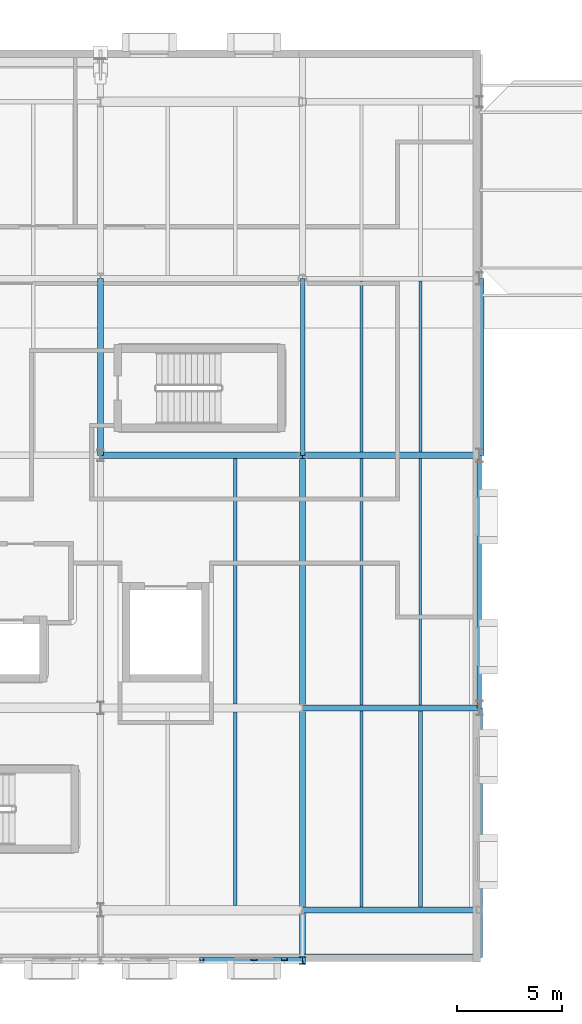
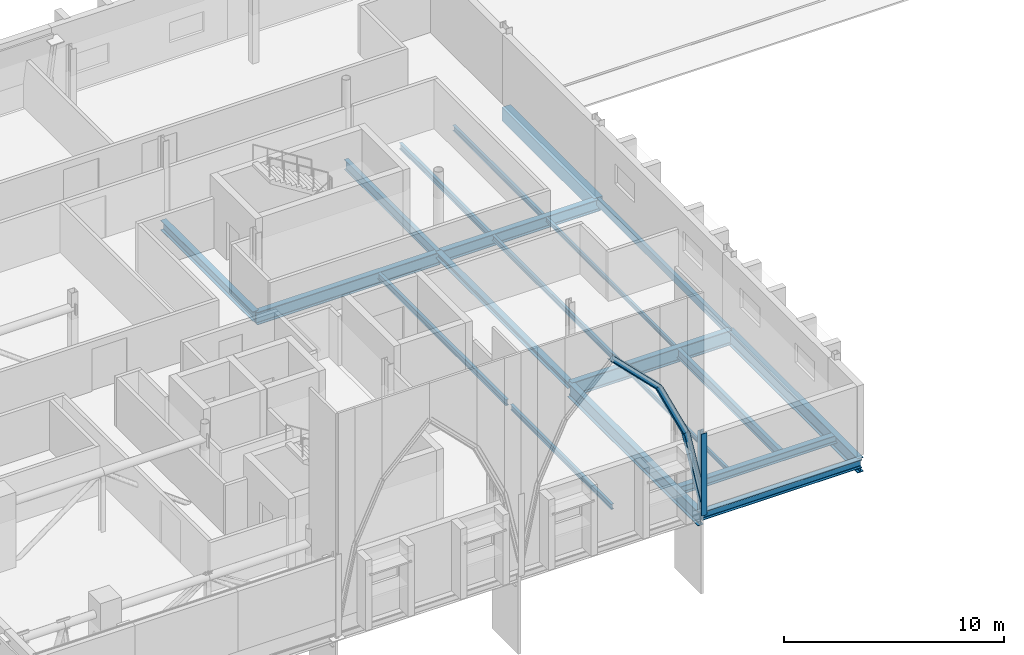
# One storey, part 23 of 90: 20 beams, 4 members.
"""IFC4 building model written with IfcOpenShell, lengths in metres."""

from ifc_helpers import new_model, si_unit, direction, frame, origin, origin_2d, place, context, subcontext, project, spatial, rectangle, hollow_rectangle, i_section, extrude, material, material_profile, profile_set, type_object, element, save


model = new_model("IFC4")

# Units and contexts
model_context = context("Model", 3, precision=1e-05, world=origin(), true_north=direction((0.0, 1.0)))
body_context = subcontext(model_context, "Body", "Model", "MODEL_VIEW")
ifc_project = project(units=[si_unit("LENGTHUNIT", "METRE"), si_unit("AREAUNIT", "SQUARE_METRE"), si_unit("VOLUMEUNIT", "CUBIC_METRE"), si_unit("PLANEANGLEUNIT", "RADIAN"), si_unit("MASSUNIT", "GRAM", prefix="KILO")], contexts=[model_context])

# Site, building, storey
site_placement = place(None, origin())
site = spatial("IfcSite", under=ifc_project, at=site_placement, CompositionType="ELEMENT")
building_placement = place(site_placement, origin())
building = spatial("IfcBuilding", under=site, at=building_placement, Name="Zereglee Splitstone Museum", CompositionType="ELEMENT")
storey_placement = place(building_placement, frame((0.0, 0.0, 4.800048828125)))
storey = spatial("IfcBuildingStorey", under=building, at=storey_placement, Name="L01", CompositionType="ELEMENT", Elevation=4.800048828125)

# Members
ifc_material_1 = material(Name="Steel S355J2", Category="steel")
ifc_material_profile_1 = material_profile(ifc_material_1, i_section(OverallWidth=0.300048828125, OverallDepth=0.300048828125, WebThickness=0.010986328125, FlangeThickness=0.01904296875, FilletRadius=0.027099609375, at=origin_2d()), Name="HE 300 B")
ifc_profile_set_1 = profile_set([ifc_material_profile_1], Name="Steel S355J2")
member_type_1 = type_object("IfcMemberType", Name="TC-08", PredefinedType="CHORD", material=ifc_profile_set_1)
member_1_placement = place(storey_placement, frame((34.800048828125, -2.39990234375, 10.0), z_axis=(0.707072197919, 0.0, -0.707141362763), x_axis=(0.0, 1.0, 0.0)))
element("IfcMember", 1, at=member_1_placement, inside=storey, type_object=member_type_1, Name="Mughal Four-Centred Pointed Arch Rib PSQ-SV1-2-4", PredefinedType="CHORD", context=body_context, shape_type="SweptSolid", body=[
    extrude(i_section(OverallWidth=0.300048828125, OverallDepth=0.300048828125, WebThickness=0.010986328125, FlangeThickness=0.01904296875, FilletRadius=0.027099609375, at=origin_2d()), origin(), (0.0, 0.0, 1.0), 3.52978515625),
])
member_2_placement = place(storey_placement, frame((37.2958984375, -2.39990234375, 7.50390625), z_axis=(0.424476278162, 0.0, -0.905439058843), x_axis=(0.0, 1.0, 0.0)))
element("IfcMember", 2, at=member_2_placement, inside=storey, type_object=member_type_1, Name="Mughal Four-Centred Pointed Arch Rib PSQ-SV1-2-5", PredefinedType="CHORD", context=body_context, shape_type="SweptSolid", body=[
    extrude(i_section(OverallWidth=0.300048828125, OverallDepth=0.300048828125, WebThickness=0.010986328125, FlangeThickness=0.01904296875, FilletRadius=0.027099609375, at=origin_2d()), origin(), (0.0, 0.0, 1.0), 3.392822265625),
])
member_3_placement = place(storey_placement, frame((38.736083984375, -2.39990234375, 4.431884765625), z_axis=(0.209533132125, 0.0, -0.977801547627), x_axis=(0.0, 1.0, 0.0)))
element("IfcMember", 3, at=member_3_placement, inside=storey, type_object=member_type_1, Name="Mughal Four-Centred Pointed Arch Rib PSQ-SV1-2-6", PredefinedType="CHORD", context=body_context, shape_type="SweptSolid", body=[
    extrude(i_section(OverallWidth=0.300048828125, OverallDepth=0.300048828125, WebThickness=0.010986328125, FlangeThickness=0.01904296875, FilletRadius=0.027099609375, at=origin_2d()), origin(), (0.0, 0.0, 1.0), 4.12353515625),
])
ifc_material_profile_2 = material_profile(ifc_material_1, i_section(OverallWidth=0.300048828125, OverallDepth=0.360107421875, WebThickness=0.012451171875, FlangeThickness=0.0224609375, FilletRadius=0.027099609375, at=origin_2d()), Name="HE 360 B")
ifc_profile_set_2 = profile_set([ifc_material_profile_2], Name="Steel S355J2")
member_type_2 = type_object("IfcMemberType", Name="TC-06", PredefinedType="CHORD", material=ifc_profile_set_2)
member_4_placement = place(storey_placement, frame((39.60009765625, -2.39990234375, -0.35009765625), z_axis=(0.0, 0.0, 1.0), x_axis=(1.0, 0.0, 0.0)))
element("IfcMember", 4, at=member_4_placement, inside=storey, type_object=member_type_2, Name="Mughal Guldasta Hovering Portal Pier G04 L01", PredefinedType="CHORD", context=body_context, shape_type="SweptSolid", body=[
    extrude(i_section(OverallWidth=0.300048828125, OverallDepth=0.360107421875, WebThickness=0.012451171875, FlangeThickness=0.0224609375, FilletRadius=0.027099609375, at=origin_2d()), origin(), (0.0, 0.0, 1.0), 4.550048828125),
])

# Beams
ifc_material_profile_3 = material_profile(ifc_material_1, i_section(OverallWidth=0.300048828125, OverallDepth=0.360107421875, WebThickness=0.012451171875, FlangeThickness=0.0224609375, FilletRadius=0.027099609375, at=origin_2d()), Name="HE 360 B")
ifc_profile_set_3 = profile_set([ifc_material_profile_3], Name="Steel S355J2")
beam_type_1 = type_object("IfcBeamType", Name="BG-14", PredefinedType="BEAM", material=ifc_profile_set_3)
beam_1_placement = place(storey_placement, frame((39.60009765625, 9.60009765625, -0.47998046875), z_axis=(0.0, 1.0, 0.0), x_axis=(-1.0, 0.0, 0.0)))
element("IfcBeam", 5, at=beam_1_placement, inside=storey, type_object=beam_type_1, Name="Primary Girder L01 6 (9.6-21.6)", PredefinedType="BEAM", context=body_context, shape_type="SweptSolid", body=[
    extrude(i_section(OverallWidth=0.300048828125, OverallDepth=0.360107421875, WebThickness=0.012451171875, FlangeThickness=0.0224609375, FilletRadius=0.027099609375, at=origin_2d()), origin(), (0.0, 0.0, 1.0), 12.0),
])
ifc_material_profile_4 = material_profile(ifc_material_1, i_section(OverallWidth=0.300048828125, OverallDepth=0.550048828125, WebThickness=0.014892578125, FlangeThickness=0.029052734375, FilletRadius=0.027099609375, at=origin_2d()), Name="HE 550 B")
ifc_profile_set_4 = profile_set([ifc_material_profile_4], Name="Steel S355J2")
beam_type_2 = type_object("IfcBeamType", Name="BG-11", PredefinedType="BEAM", material=ifc_profile_set_4)
beam_2_placement = place(storey_placement, frame((30.0, 21.60009765625, -0.574951171875), z_axis=(0.0, 1.0, 0.0), x_axis=(-1.0, 0.0, 0.0)))
element("IfcBeam", 6, at=beam_2_placement, inside=storey, type_object=beam_type_2, Name="Primary Girder L01 5 (21.6-30.0)", PredefinedType="BEAM", context=body_context, shape_type="SweptSolid", body=[
    extrude(i_section(OverallWidth=0.300048828125, OverallDepth=0.550048828125, WebThickness=0.014892578125, FlangeThickness=0.029052734375, FilletRadius=0.027099609375, at=origin_2d()), origin(), (0.0, 0.0, 1.0), 8.39990234375),
])
ifc_material_profile_5 = material_profile(ifc_material_1, i_section(OverallWidth=0.300048828125, OverallDepth=0.64990234375, WebThickness=0.01611328125, FlangeThickness=0.031005859375, FilletRadius=0.027099609375, at=origin_2d()), Name="HE 650 B")
ifc_profile_set_5 = profile_set([ifc_material_profile_5], Name="Steel S355J2")
beam_type_3 = type_object("IfcBeamType", Name="BG-09", PredefinedType="BEAM", material=ifc_profile_set_5)
beam_3_placement = place(storey_placement, frame((39.60009765625, 21.60009765625, -0.625), z_axis=(1.0, 0.0, 0.0), x_axis=(0.0, 1.0, 0.0)))
element("IfcBeam", 7, at=beam_3_placement, inside=storey, type_object=beam_type_3, Name="Primary Girder L01 C (39.6-48.0)", PredefinedType="BEAM", context=body_context, shape_type="SweptSolid", body=[
    extrude(i_section(OverallWidth=0.300048828125, OverallDepth=0.64990234375, WebThickness=0.01611328125, FlangeThickness=0.031005859375, FilletRadius=0.027099609375, at=origin_2d()), origin(), (0.0, 0.0, 1.0), 8.39990234375),
])
ifc_material_profile_6 = material_profile(ifc_material_1, i_section(OverallWidth=0.300048828125, OverallDepth=0.699951171875, WebThickness=0.01708984375, FlangeThickness=0.031982421875, FilletRadius=0.027099609375, at=origin_2d()), Name="HE 700 B")
ifc_profile_set_6 = profile_set([ifc_material_profile_6], Name="Steel S355J2")
beam_type_4 = type_object("IfcBeamType", Name="BG-08", PredefinedType="BEAM", material=ifc_profile_set_6)
beam_4_placement = place(storey_placement, frame((30.0, 21.60009765625, -0.650146484375), z_axis=(1.0, 0.0, 0.0), x_axis=(0.0, 1.0, 0.0)))
element("IfcBeam", 8, at=beam_4_placement, inside=storey, type_object=beam_type_4, Name="Primary Girder L01 C (30.0-39.6)", PredefinedType="BEAM", context=body_context, shape_type="SweptSolid", body=[
    extrude(i_section(OverallWidth=0.300048828125, OverallDepth=0.699951171875, WebThickness=0.01708984375, FlangeThickness=0.031982421875, FilletRadius=0.027099609375, at=origin_2d()), origin(), (0.0, 0.0, 1.0), 9.60009765625),
])
ifc_material_profile_7 = material_profile(ifc_material_1, i_section(OverallWidth=0.300048828125, OverallDepth=0.800048828125, WebThickness=0.017578125, FlangeThickness=0.032958984375, FilletRadius=0.030029296875, at=origin_2d()), Name="HE 800 B")
ifc_profile_set_7 = profile_set([ifc_material_profile_7], Name="Steel S355J2")
beam_type_5 = type_object("IfcBeamType", Name="BG-07", PredefinedType="BEAM", material=ifc_profile_set_7)
beam_5_placement = place(storey_placement, frame((39.60009765625, 9.60009765625, -0.699951171875), z_axis=(1.0, 0.0, 0.0), x_axis=(0.0, 1.0, 0.0)))
element("IfcBeam", 9, at=beam_5_placement, inside=storey, type_object=beam_type_5, Name="Primary Girder L01 B (39.6-48.0)", PredefinedType="BEAM", context=body_context, shape_type="SweptSolid", body=[
    extrude(i_section(OverallWidth=0.300048828125, OverallDepth=0.800048828125, WebThickness=0.017578125, FlangeThickness=0.032958984375, FilletRadius=0.030029296875, at=origin_2d()), origin(), (0.0, 0.0, 1.0), 8.39990234375),
])
for number, where, z_axis, x_axis, name in (
    (10, (39.60009765625, -2.25, -0.699951171875), (0.0, 1.0, 0.0), (-1.0, 0.0, 0.0), "Primary Girder L01 6 (-2.2-9.6)"),
    (11, (48.0, -2.25, -0.699951171875), (0.0, 1.0, 0.0), (-1.0, 0.0, 0.0), "Primary Girder L01 7 (-2.2-9.6)"),
):
    element("IfcBeam", number, at=place(storey_placement, frame(where, z_axis=z_axis, x_axis=x_axis)), inside=storey, type_object=beam_type_5, Name=name, PredefinedType="BEAM", context=body_context, shape_type="SweptSolid", body=[
        extrude(i_section(OverallWidth=0.300048828125, OverallDepth=0.800048828125, WebThickness=0.017578125, FlangeThickness=0.032958984375, FilletRadius=0.030029296875, at=origin_2d()), origin(), (0.0, 0.0, 1.0), 11.85009765625),
    ])
ifc_material_profile_8 = material_profile(ifc_material_1, i_section(OverallWidth=0.2099609375, OverallDepth=0.550048828125, WebThickness=0.010986328125, FlangeThickness=0.01708984375, FilletRadius=0.02392578125, at=origin_2d()), Name="IPE 550")
ifc_profile_set_8 = profile_set([ifc_material_profile_8], Name="Steel S355J2")
beam_type_6 = type_object("IfcBeamType", Name="BG-16", PredefinedType="BEAM", material=ifc_profile_set_8)
beam_6_placement = place(storey_placement, frame((39.60009765625, 21.60009765625, -0.574951171875), z_axis=(0.0, 1.0, 0.0), x_axis=(-1.0, 0.0, 0.0)))
element("IfcBeam", 12, at=beam_6_placement, inside=storey, type_object=beam_type_6, Name="Primary Girder L01 6 (21.6-30.0)", PredefinedType="BEAM", context=body_context, shape_type="SweptSolid", body=[
    extrude(i_section(OverallWidth=0.2099609375, OverallDepth=0.550048828125, WebThickness=0.010986328125, FlangeThickness=0.01708984375, FilletRadius=0.02392578125, at=origin_2d()), origin(), (0.0, 0.0, 1.0), 8.39990234375),
])
ifc_material_profile_9 = material_profile(ifc_material_1, i_section(OverallWidth=0.1201171875, OverallDepth=0.239990234375, WebThickness=0.006103515625, FlangeThickness=0.009765625, FilletRadius=0.014892578125, at=origin_2d()), Name="IPE 240")
ifc_profile_set_9 = profile_set([ifc_material_profile_9], Name="Steel S355J2")
beam_type_7 = type_object("IfcBeamType", Name="BJ-07", PredefinedType="JOIST", material=ifc_profile_set_9)
beam_7_placement = place(storey_placement, frame((42.39990234375, 0.14990234375, -0.420166015625), z_axis=(0.0, 1.0, 0.0), x_axis=(-1.0, 0.0, 0.0)))
element("IfcBeam", 13, at=beam_7_placement, inside=storey, type_object=beam_type_7, Name="Secondary Floor Joist L01-0692", PredefinedType="JOIST", context=body_context, shape_type="SweptSolid", body=[
    extrude(i_section(OverallWidth=0.1201171875, OverallDepth=0.239990234375, WebThickness=0.006103515625, FlangeThickness=0.009765625, FilletRadius=0.014892578125, at=origin_2d()), origin(), (0.0, 0.0, 1.0), 9.300048828125),
])
beam_8_placement = place(storey_placement, frame((45.199951171875, 9.75, -0.420166015625), z_axis=(0.0, 1.0, 0.0), x_axis=(-1.0, 0.0, 0.0)))
element("IfcBeam", 14, at=beam_8_placement, inside=storey, type_object=beam_type_7, Name="Secondary Floor Joist L01-0706", PredefinedType="JOIST", context=body_context, shape_type="SweptSolid", body=[
    extrude(i_section(OverallWidth=0.1201171875, OverallDepth=0.239990234375, WebThickness=0.006103515625, FlangeThickness=0.009765625, FilletRadius=0.014892578125, at=origin_2d()), origin(), (0.0, 0.0, 1.0), 11.699951171875),
])
ifc_material_profile_10 = material_profile(ifc_material_1, i_section(OverallWidth=0.14990234375, OverallDepth=0.300048828125, WebThickness=0.007080078125, FlangeThickness=0.0107421875, FilletRadius=0.014892578125, at=origin_2d()), Name="IPE 300")
ifc_profile_set_10 = profile_set([ifc_material_profile_10], Name="Steel S355J2")
beam_type_8 = type_object("IfcBeamType", Name="BJ-06", PredefinedType="JOIST", material=ifc_profile_set_10)
beam_9_placement = place(storey_placement, frame((36.39990234375, 0.22509765625, -0.449951171875), z_axis=(0.0, 1.0, 0.0), x_axis=(-1.0, 0.0, 0.0)))
element("IfcBeam", 15, at=beam_9_placement, inside=storey, type_object=beam_type_8, Name="Secondary Floor Joist L01-0691", PredefinedType="JOIST", context=body_context, shape_type="SweptSolid", body=[
    extrude(i_section(OverallWidth=0.14990234375, OverallDepth=0.300048828125, WebThickness=0.007080078125, FlangeThickness=0.0107421875, FilletRadius=0.014892578125, at=origin_2d()), origin(), (0.0, 0.0, 1.0), 9.1748046875),
])
beam_10_placement = place(storey_placement, frame((42.39990234375, 9.75, -0.449951171875), z_axis=(0.0, 1.0, 0.0), x_axis=(-1.0, 0.0, 0.0)))
element("IfcBeam", 16, at=beam_10_placement, inside=storey, type_object=beam_type_8, Name="Secondary Floor Joist L01-0705", PredefinedType="JOIST", context=body_context, shape_type="SweptSolid", body=[
    extrude(i_section(OverallWidth=0.14990234375, OverallDepth=0.300048828125, WebThickness=0.007080078125, FlangeThickness=0.0107421875, FilletRadius=0.014892578125, at=origin_2d()), origin(), (0.0, 0.0, 1.0), 11.699951171875),
])
beam_11_placement = place(storey_placement, frame((45.199951171875, 21.75, -0.449951171875), z_axis=(0.0, 1.0, 0.0), x_axis=(-1.0, 0.0, 0.0)))
element("IfcBeam", 17, at=beam_11_placement, inside=storey, type_object=beam_type_8, Name="Secondary Floor Joist L01-0733", PredefinedType="JOIST", context=body_context, shape_type="SweptSolid", body=[
    extrude(i_section(OverallWidth=0.14990234375, OverallDepth=0.300048828125, WebThickness=0.007080078125, FlangeThickness=0.0107421875, FilletRadius=0.014892578125, at=origin_2d()), origin(), (0.0, 0.0, 1.0), 8.14501953125),
])
ifc_material_profile_11 = material_profile(ifc_material_1, i_section(OverallWidth=0.159912109375, OverallDepth=0.330078125, WebThickness=0.007568359375, FlangeThickness=0.011474609375, FilletRadius=0.01806640625, at=origin_2d()), Name="IPE 330")
ifc_profile_set_11 = profile_set([ifc_material_profile_11], Name="Steel S355J2")
beam_type_9 = type_object("IfcBeamType", Name="BJ-05", PredefinedType="JOIST", material=ifc_profile_set_11)
beam_12_placement = place(storey_placement, frame((36.39990234375, 9.800048828125, -0.465087890625), z_axis=(0.0, 1.0, 0.0), x_axis=(-1.0, 0.0, 0.0)))
element("IfcBeam", 18, at=beam_12_placement, inside=storey, type_object=beam_type_9, Name="Secondary Floor Joist L01-0704", PredefinedType="JOIST", context=body_context, shape_type="SweptSolid", body=[
    extrude(i_section(OverallWidth=0.159912109375, OverallDepth=0.330078125, WebThickness=0.007568359375, FlangeThickness=0.011474609375, FilletRadius=0.01806640625, at=origin_2d()), origin(), (0.0, 0.0, 1.0), 11.64990234375),
])
beam_13_placement = place(storey_placement, frame((42.39990234375, 21.75, -0.465087890625), z_axis=(0.0, 1.0, 0.0), x_axis=(-1.0, 0.0, 0.0)))
element("IfcBeam", 19, at=beam_13_placement, inside=storey, type_object=beam_type_9, Name="Secondary Floor Joist L01-0732", PredefinedType="JOIST", context=body_context, shape_type="SweptSolid", body=[
    extrude(i_section(OverallWidth=0.159912109375, OverallDepth=0.330078125, WebThickness=0.007568359375, FlangeThickness=0.011474609375, FilletRadius=0.01806640625, at=origin_2d()), origin(), (0.0, 0.0, 1.0), 8.14501953125),
])
ifc_material_profile_12 = material_profile(ifc_material_1, i_section(OverallWidth=0.199951171875, OverallDepth=0.5, WebThickness=0.01025390625, FlangeThickness=0.01611328125, FilletRadius=0.02099609375, at=origin_2d()), Name="IPE 500")
ifc_profile_set_12 = profile_set([ifc_material_profile_12], Name="Steel S355J2")
beam_type_10 = type_object("IfcBeamType", Name="BJ-01", PredefinedType="JOIST", material=ifc_profile_set_12)
beam_14_placement = place(storey_placement, frame((45.199951171875, 0.14990234375, -0.550048828125), z_axis=(0.0, 1.0, 0.0), x_axis=(-1.0, 0.0, 0.0)))
element("IfcBeam", 20, at=beam_14_placement, inside=storey, type_object=beam_type_10, Name="Secondary Floor Joist L01-0693", PredefinedType="JOIST", context=body_context, shape_type="SweptSolid", body=[
    extrude(i_section(OverallWidth=0.199951171875, OverallDepth=0.5, WebThickness=0.01025390625, FlangeThickness=0.01611328125, FilletRadius=0.02099609375, at=origin_2d()), origin(), (0.0, 0.0, 1.0), 9.300048828125),
])
ifc_material_profile_13 = material_profile(ifc_material_1, i_section(OverallWidth=0.300048828125, OverallDepth=0.449951171875, WebThickness=0.013916015625, FlangeThickness=0.02587890625, FilletRadius=0.027099609375, at=origin_2d()), Name="HE 450 B")
ifc_profile_set_13 = profile_set([ifc_material_profile_13], Name="Steel S355J2")
beam_type_11 = type_object("IfcBeamType", Name="SP-02", PredefinedType="SPANDREL", material=ifc_profile_set_13)
for number, where, z_axis, x_axis, name in (
    (21, (39.60009765625, 0.0, -0.525146484375), (1.0, 0.0, 0.0), (0.0, 1.0, 0.0), "Primary Girder L01 A (39.6-48.0)"),
    (22, (39.60009765625, -2.25, -0.525146484375), (1.0, 0.0, 0.0), (0.0, 1.0, 0.0), "Hovering Soffit Spandrel L01 (39.6-48.0)"),
):
    element("IfcBeam", number, at=place(storey_placement, frame(where, z_axis=z_axis, x_axis=x_axis)), inside=storey, type_object=beam_type_11, Name=name, PredefinedType="SPANDREL", context=body_context, shape_type="SweptSolid", body=[
        extrude(i_section(OverallWidth=0.300048828125, OverallDepth=0.449951171875, WebThickness=0.013916015625, FlangeThickness=0.02587890625, FilletRadius=0.027099609375, at=origin_2d()), origin(), (0.0, 0.0, 1.0), 8.39990234375),
    ])
ifc_material_2 = material(Name="Concrete C40/50", Category="concrete")
ifc_material_profile_14 = material_profile(ifc_material_2, rectangle(XDim=0.449951171875, YDim=0.75, at=origin_2d()), Name="RC 450x750")
ifc_profile_set_14 = profile_set([ifc_material_profile_14], Name="Concrete C40/50")
beam_type_12 = type_object("IfcBeamType", Name="SP-01", PredefinedType="SPANDREL", material=ifc_profile_set_14)
beam_15_placement = place(storey_placement, frame((48.0, 21.60009765625, -0.675048828125), z_axis=(0.0, 1.0, 0.0), x_axis=(-1.0, 0.0, 0.0)))
element("IfcBeam", 23, at=beam_15_placement, inside=storey, type_object=beam_type_12, Name="Primary Girder L01 7 (21.6-30.0)", PredefinedType="SPANDREL", context=body_context, shape_type="SweptSolid", body=[
    extrude(rectangle(XDim=0.449951171875, YDim=0.75, at=origin_2d()), origin(), (0.0, 0.0, 1.0), 8.39990234375),
])
ifc_material_3 = material(Name="Steel S355J2H", Category="steel")
ifc_material_profile_15 = material_profile(ifc_material_3, hollow_rectangle(XDim=0.199951171875, YDim=0.39990234375, WallThickness=0.01611328125, at=origin_2d()), Name="RHS 400x200x16")
ifc_profile_set_15 = profile_set([ifc_material_profile_15], Name="Steel S355J2H")
beam_type_13 = type_object("IfcBeamType", Name="SP-04", PredefinedType="SPANDREL", material=ifc_profile_set_15)
beam_16_placement = place(storey_placement, frame((48.0, 9.60009765625, -0.5), z_axis=(0.0, 1.0, 0.0), x_axis=(-1.0, 0.0, 0.0)))
element("IfcBeam", 24, at=beam_16_placement, inside=storey, type_object=beam_type_13, Name="Primary Girder L01 7 (9.6-21.6)", PredefinedType="SPANDREL", context=body_context, shape_type="SweptSolid", body=[
    extrude(hollow_rectangle(XDim=0.199951171875, YDim=0.39990234375, WallThickness=0.01611328125, at=origin_2d()), origin(), (0.0, 0.0, 1.0), 12.0),
])

save(model, "model.ifc")
